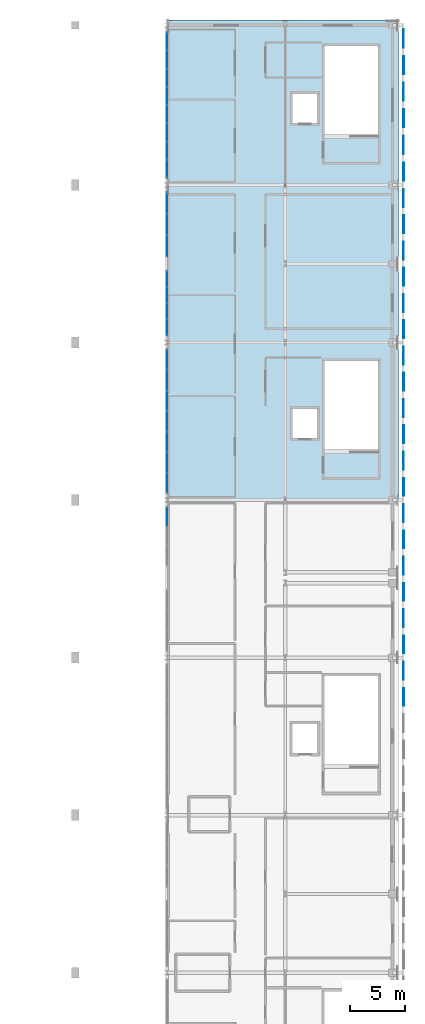
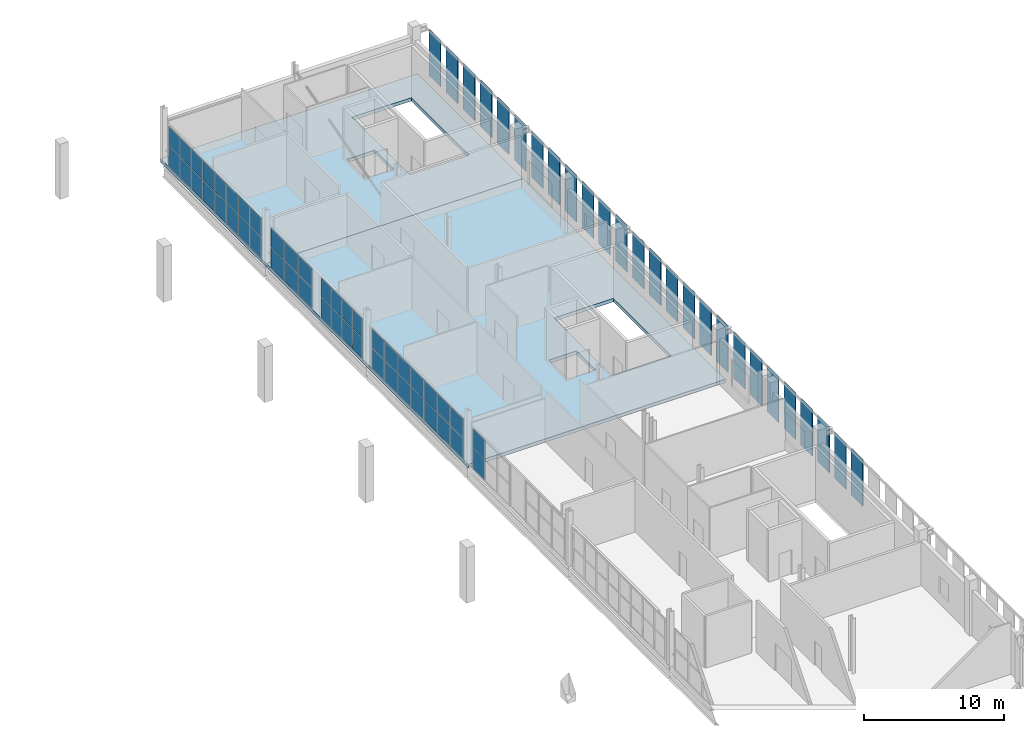
# One storey, part 29 of 51: 72 plates, 2 slabs, 5 elements without a shape of their own.
"""IFC4 building model written with IfcOpenShell, lengths in metres."""

from ifc_helpers import new_model, si_unit, direction, frame, origin, origin_2d, place, context, subcontext, project, spatial, polyline, rectangle, outline, extrude, material, layer, layer_set, type_object, element, aggregate, save


model = new_model("IFC4")

# Units and contexts
model_context = context("Model", 3, precision=1e-05, world=origin(), true_north=direction((0.0, 1.0)))
body_context = subcontext(model_context, "Body", "Model", "MODEL_VIEW")
ifc_project = project(units=[si_unit("LENGTHUNIT", "METRE"), si_unit("AREAUNIT", "SQUARE_METRE"), si_unit("VOLUMEUNIT", "CUBIC_METRE"), si_unit("PLANEANGLEUNIT", "RADIAN"), si_unit("MASSUNIT", "GRAM", prefix="KILO")], contexts=[model_context])

# Site, building, storey
site_placement = place(None, origin())
site = spatial("IfcSite", under=ifc_project, at=site_placement, CompositionType="ELEMENT")
building_placement = place(site_placement, origin())
building = spatial("IfcBuilding", under=site, at=building_placement, Name="Koshinbarg Plaza Stadium", CompositionType="ELEMENT")
storey_placement = place(building_placement, frame((0.0, 0.0, 24.60009765625)))
storey = spatial("IfcBuildingStorey", under=building, at=storey_placement, Name="L05", CompositionType="ELEMENT", Elevation=24.60009765625)

# Curtain wall, plates
ifc_material_1 = material(Name="Thermally broken anodised aluminium and low-E double glazing", Category="aluminium")
curtain_wall_type_1 = type_object("IfcCurtainWallType", Name="CW-SYS-03", PredefinedType="NOTDEFINED", material=ifc_material_1)
curtain_wall_1_placement = place(storey_placement, origin())
curtain_wall_1 = element("IfcCurtainWall", 1, at=curtain_wall_1_placement, inside=storey, type_object=curtain_wall_type_1, Name="L05 unitised curtain wall CW-L05-146", PredefinedType="NOTDEFINED")
ifc_material_2 = material(Name="Solar-control low-E double glazing unit", Category="glass")
ifc_layer_1 = layer(ifc_material_2, 0.028076171875)
ifc_layer_set_1 = layer_set([ifc_layer_1], Name="Solar-control low-E double glazing unit")
plate_type_1 = type_object("IfcPlateType", Name="CW-PNL-28", PredefinedType="CURTAIN_PANEL", material=ifc_layer_set_1)
plate_1_placement = place(storey_placement, frame((197.800048828125, 81.57177734375, 0.06005859375), z_axis=(0.0, 0.0, 1.0), x_axis=(0.0, 1.0, 0.0)))
plate_1 = element("IfcPlate", 2, at=plate_1_placement, type_object=plate_type_1, Name="CW03 panel 3.1", PredefinedType="CURTAIN_PANEL", context=body_context, shape_type="SweptSolid", body=[
    extrude(rectangle(XDim=1.69677734375, YDim=0.028076171875, at=origin_2d()), origin(), (0.0, 0.0, 1.0), 1.771484375),
])
plate_2_placement = place(storey_placement, frame((197.800048828125, 81.57177734375, 1.8916015625), z_axis=(0.0, 0.0, 1.0), x_axis=(0.0, 1.0, 0.0)))
plate_2 = element("IfcPlate", 3, at=plate_2_placement, type_object=plate_type_1, Name="CW03 panel 3.2", PredefinedType="CURTAIN_PANEL", context=body_context, shape_type="SweptSolid", body=[
    extrude(rectangle(XDim=1.69677734375, YDim=0.028076171875, at=origin_2d()), origin(), (0.0, 0.0, 1.0), 1.62841796875),
])
aggregate(curtain_wall_1, [plate_1, plate_2])

curtain_wall_type_2 = type_object("IfcCurtainWallType", Name="CW-SYS-05", PredefinedType="NOTDEFINED", material=ifc_material_1)
curtain_wall_2_placement = place(storey_placement, origin())
curtain_wall_2 = element("IfcCurtainWall", 4, at=curtain_wall_2_placement, inside=storey, type_object=curtain_wall_type_2, Name="L05 unitised curtain wall CW-L05-148", PredefinedType="NOTDEFINED")
plate_3_placement = place(storey_placement, frame((197.800048828125, 98.8798828125, 0.06005859375), z_axis=(0.0, 0.0, 1.0), x_axis=(0.0, 1.0, 0.0)))
plate_3 = element("IfcPlate", 5, at=plate_3_placement, type_object=plate_type_1, Name="CW05 panel 1.1", PredefinedType="CURTAIN_PANEL", context=body_context, shape_type="SweptSolid", body=[
    extrude(rectangle(XDim=1.39990234375, YDim=0.028076171875, at=origin_2d()), origin(), (0.0, 0.0, 1.0), 1.771484375),
])
plate_4_placement = place(storey_placement, frame((197.800048828125, 98.8798828125, 1.8916015625), z_axis=(0.0, 0.0, 1.0), x_axis=(0.0, 1.0, 0.0)))
plate_4 = element("IfcPlate", 6, at=plate_4_placement, type_object=plate_type_1, Name="CW05 panel 1.2", PredefinedType="CURTAIN_PANEL", context=body_context, shape_type="SweptSolid", body=[
    extrude(rectangle(XDim=1.39990234375, YDim=0.028076171875, at=origin_2d()), origin(), (0.0, 0.0, 1.0), 1.62841796875),
])
plate_5_placement = place(storey_placement, frame((197.800048828125, 100.35498046875, 0.06005859375), z_axis=(0.0, 0.0, 1.0), x_axis=(0.0, 1.0, 0.0)))
plate_5 = element("IfcPlate", 7, at=plate_5_placement, type_object=plate_type_1, Name="CW05 panel 2.1", PredefinedType="CURTAIN_PANEL", context=body_context, shape_type="SweptSolid", body=[
    extrude(rectangle(XDim=1.429931640625, YDim=0.028076171875, at=origin_2d()), origin(), (0.0, 0.0, 1.0), 1.771484375),
])
plate_6_placement = place(storey_placement, frame((197.800048828125, 100.35498046875, 1.8916015625), z_axis=(0.0, 0.0, 1.0), x_axis=(0.0, 1.0, 0.0)))
plate_6 = element("IfcPlate", 8, at=plate_6_placement, type_object=plate_type_1, Name="CW05 panel 2.2", PredefinedType="CURTAIN_PANEL", context=body_context, shape_type="SweptSolid", body=[
    extrude(rectangle(XDim=1.429931640625, YDim=0.028076171875, at=origin_2d()), origin(), (0.0, 0.0, 1.0), 1.62841796875),
])
plate_7_placement = place(storey_placement, frame((197.800048828125, 101.844970703125, 0.06005859375), z_axis=(0.0, 0.0, 1.0), x_axis=(0.0, 1.0, 0.0)))
plate_7 = element("IfcPlate", 9, at=plate_7_placement, type_object=plate_type_1, Name="CW05 panel 3.1", PredefinedType="CURTAIN_PANEL", context=body_context, shape_type="SweptSolid", body=[
    extrude(rectangle(XDim=1.429931640625, YDim=0.028076171875, at=origin_2d()), origin(), (0.0, 0.0, 1.0), 1.771484375),
])
plate_8_placement = place(storey_placement, frame((197.800048828125, 101.844970703125, 1.8916015625), z_axis=(0.0, 0.0, 1.0), x_axis=(0.0, 1.0, 0.0)))
plate_8 = element("IfcPlate", 10, at=plate_8_placement, type_object=plate_type_1, Name="CW05 panel 3.2", PredefinedType="CURTAIN_PANEL", context=body_context, shape_type="SweptSolid", body=[
    extrude(rectangle(XDim=1.429931640625, YDim=0.028076171875, at=origin_2d()), origin(), (0.0, 0.0, 1.0), 1.62841796875),
])
plate_9_placement = place(storey_placement, frame((197.800048828125, 103.320068359375, 0.06005859375), z_axis=(0.0, 0.0, 1.0), x_axis=(0.0, 1.0, 0.0)))
plate_9 = element("IfcPlate", 11, at=plate_9_placement, type_object=plate_type_1, Name="CW05 panel 4.1", PredefinedType="CURTAIN_PANEL", context=body_context, shape_type="SweptSolid", body=[
    extrude(rectangle(XDim=1.39990234375, YDim=0.028076171875, at=origin_2d()), origin(), (0.0, 0.0, 1.0), 1.771484375),
])
plate_10_placement = place(storey_placement, frame((197.800048828125, 103.320068359375, 1.8916015625), z_axis=(0.0, 0.0, 1.0), x_axis=(0.0, 1.0, 0.0)))
plate_10 = element("IfcPlate", 12, at=plate_10_placement, type_object=plate_type_1, Name="CW05 panel 4.2", PredefinedType="CURTAIN_PANEL", context=body_context, shape_type="SweptSolid", body=[
    extrude(rectangle(XDim=1.39990234375, YDim=0.028076171875, at=origin_2d()), origin(), (0.0, 0.0, 1.0), 1.62841796875),
])
aggregate(curtain_wall_2, [plate_3, plate_4, plate_5, plate_6, plate_7, plate_8, plate_9, plate_10])

curtain_wall_type_3 = type_object("IfcCurtainWallType", Name="CW-SYS-07", PredefinedType="NOTDEFINED", material=ifc_material_1)
curtain_wall_3_placement = place(storey_placement, origin())
curtain_wall_3 = element("IfcCurtainWall", 13, at=curtain_wall_3_placement, inside=storey, type_object=curtain_wall_type_3, Name="L05 unitised curtain wall CW-L05-150", PredefinedType="NOTDEFINED")
plate_11_placement = place(storey_placement, frame((197.800048828125, 113.3701171875, 0.06005859375), z_axis=(0.0, 0.0, 1.0), x_axis=(0.0, 1.0, 0.0)))
plate_11 = element("IfcPlate", 14, at=plate_11_placement, type_object=plate_type_1, Name="CW07 panel 1.1", PredefinedType="CURTAIN_PANEL", context=body_context, shape_type="SweptSolid", body=[
    extrude(rectangle(XDim=1.580078125, YDim=0.028076171875, at=origin_2d()), origin(), (0.0, 0.0, 1.0), 1.771484375),
])
plate_12_placement = place(storey_placement, frame((197.800048828125, 113.3701171875, 1.8916015625), z_axis=(0.0, 0.0, 1.0), x_axis=(0.0, 1.0, 0.0)))
plate_12 = element("IfcPlate", 15, at=plate_12_placement, type_object=plate_type_1, Name="CW07 panel 1.2", PredefinedType="CURTAIN_PANEL", context=body_context, shape_type="SweptSolid", body=[
    extrude(rectangle(XDim=1.580078125, YDim=0.028076171875, at=origin_2d()), origin(), (0.0, 0.0, 1.0), 1.62841796875),
])
plate_13_placement = place(storey_placement, frame((197.800048828125, 115.02490234375, 0.06005859375), z_axis=(0.0, 0.0, 1.0), x_axis=(0.0, 1.0, 0.0)))
plate_13 = element("IfcPlate", 16, at=plate_13_placement, type_object=plate_type_1, Name="CW07 panel 2.1", PredefinedType="CURTAIN_PANEL", context=body_context, shape_type="SweptSolid", body=[
    extrude(rectangle(XDim=1.610107421875, YDim=0.028076171875, at=origin_2d()), origin(), (0.0, 0.0, 1.0), 1.771484375),
])
plate_14_placement = place(storey_placement, frame((197.800048828125, 115.02490234375, 1.8916015625), z_axis=(0.0, 0.0, 1.0), x_axis=(0.0, 1.0, 0.0)))
plate_14 = element("IfcPlate", 17, at=plate_14_placement, type_object=plate_type_1, Name="CW07 panel 2.2", PredefinedType="CURTAIN_PANEL", context=body_context, shape_type="SweptSolid", body=[
    extrude(rectangle(XDim=1.610107421875, YDim=0.028076171875, at=origin_2d()), origin(), (0.0, 0.0, 1.0), 1.62841796875),
])
plate_15_placement = place(storey_placement, frame((197.800048828125, 116.695068359375, 0.06005859375), z_axis=(0.0, 0.0, 1.0), x_axis=(0.0, 1.0, 0.0)))
plate_15 = element("IfcPlate", 18, at=plate_15_placement, type_object=plate_type_1, Name="CW07 panel 3.1", PredefinedType="CURTAIN_PANEL", context=body_context, shape_type="SweptSolid", body=[
    extrude(rectangle(XDim=1.610107421875, YDim=0.028076171875, at=origin_2d()), origin(), (0.0, 0.0, 1.0), 1.771484375),
])
plate_16_placement = place(storey_placement, frame((197.800048828125, 116.695068359375, 1.8916015625), z_axis=(0.0, 0.0, 1.0), x_axis=(0.0, 1.0, 0.0)))
plate_16 = element("IfcPlate", 19, at=plate_16_placement, type_object=plate_type_1, Name="CW07 panel 3.2", PredefinedType="CURTAIN_PANEL", context=body_context, shape_type="SweptSolid", body=[
    extrude(rectangle(XDim=1.610107421875, YDim=0.028076171875, at=origin_2d()), origin(), (0.0, 0.0, 1.0), 1.62841796875),
])
plate_17_placement = place(storey_placement, frame((197.800048828125, 118.364990234375, 0.06005859375), z_axis=(0.0, 0.0, 1.0), x_axis=(0.0, 1.0, 0.0)))
plate_17 = element("IfcPlate", 20, at=plate_17_placement, type_object=plate_type_1, Name="CW07 panel 4.1", PredefinedType="CURTAIN_PANEL", context=body_context, shape_type="SweptSolid", body=[
    extrude(rectangle(XDim=1.610107421875, YDim=0.028076171875, at=origin_2d()), origin(), (0.0, 0.0, 1.0), 1.771484375),
])
plate_18_placement = place(storey_placement, frame((197.800048828125, 118.364990234375, 1.8916015625), z_axis=(0.0, 0.0, 1.0), x_axis=(0.0, 1.0, 0.0)))
plate_18 = element("IfcPlate", 21, at=plate_18_placement, type_object=plate_type_1, Name="CW07 panel 4.2", PredefinedType="CURTAIN_PANEL", context=body_context, shape_type="SweptSolid", body=[
    extrude(rectangle(XDim=1.610107421875, YDim=0.028076171875, at=origin_2d()), origin(), (0.0, 0.0, 1.0), 1.62841796875),
])
plate_19_placement = place(storey_placement, frame((197.800048828125, 120.034912109375, 0.06005859375), z_axis=(0.0, 0.0, 1.0), x_axis=(0.0, 1.0, 0.0)))
plate_19 = element("IfcPlate", 22, at=plate_19_placement, type_object=plate_type_1, Name="CW07 panel 5.1", PredefinedType="CURTAIN_PANEL", context=body_context, shape_type="SweptSolid", body=[
    extrude(rectangle(XDim=1.610107421875, YDim=0.028076171875, at=origin_2d()), origin(), (0.0, 0.0, 1.0), 1.771484375),
])
plate_20_placement = place(storey_placement, frame((197.800048828125, 120.034912109375, 1.8916015625), z_axis=(0.0, 0.0, 1.0), x_axis=(0.0, 1.0, 0.0)))
plate_20 = element("IfcPlate", 23, at=plate_20_placement, type_object=plate_type_1, Name="CW07 panel 5.2", PredefinedType="CURTAIN_PANEL", context=body_context, shape_type="SweptSolid", body=[
    extrude(rectangle(XDim=1.610107421875, YDim=0.028076171875, at=origin_2d()), origin(), (0.0, 0.0, 1.0), 1.62841796875),
])
plate_21_placement = place(storey_placement, frame((197.800048828125, 121.705078125, 0.06005859375), z_axis=(0.0, 0.0, 1.0), x_axis=(0.0, 1.0, 0.0)))
plate_21 = element("IfcPlate", 24, at=plate_21_placement, type_object=plate_type_1, Name="CW07 panel 6.1", PredefinedType="CURTAIN_PANEL", context=body_context, shape_type="SweptSolid", body=[
    extrude(rectangle(XDim=1.610107421875, YDim=0.028076171875, at=origin_2d()), origin(), (0.0, 0.0, 1.0), 1.771484375),
])
plate_22_placement = place(storey_placement, frame((197.800048828125, 121.705078125, 1.8916015625), z_axis=(0.0, 0.0, 1.0), x_axis=(0.0, 1.0, 0.0)))
plate_22 = element("IfcPlate", 25, at=plate_22_placement, type_object=plate_type_1, Name="CW07 panel 6.2", PredefinedType="CURTAIN_PANEL", context=body_context, shape_type="SweptSolid", body=[
    extrude(rectangle(XDim=1.610107421875, YDim=0.028076171875, at=origin_2d()), origin(), (0.0, 0.0, 1.0), 1.62841796875),
])
plate_23_placement = place(storey_placement, frame((197.800048828125, 123.375, 0.06005859375), z_axis=(0.0, 0.0, 1.0), x_axis=(0.0, 1.0, 0.0)))
plate_23 = element("IfcPlate", 26, at=plate_23_placement, type_object=plate_type_1, Name="CW07 panel 7.1", PredefinedType="CURTAIN_PANEL", context=body_context, shape_type="SweptSolid", body=[
    extrude(rectangle(XDim=1.610107421875, YDim=0.028076171875, at=origin_2d()), origin(), (0.0, 0.0, 1.0), 1.771484375),
])
plate_24_placement = place(storey_placement, frame((197.800048828125, 123.375, 1.8916015625), z_axis=(0.0, 0.0, 1.0), x_axis=(0.0, 1.0, 0.0)))
plate_24 = element("IfcPlate", 27, at=plate_24_placement, type_object=plate_type_1, Name="CW07 panel 7.2", PredefinedType="CURTAIN_PANEL", context=body_context, shape_type="SweptSolid", body=[
    extrude(rectangle(XDim=1.610107421875, YDim=0.028076171875, at=origin_2d()), origin(), (0.0, 0.0, 1.0), 1.62841796875),
])
plate_25_placement = place(storey_placement, frame((197.800048828125, 125.030029296875, 0.06005859375), z_axis=(0.0, 0.0, 1.0), x_axis=(0.0, 1.0, 0.0)))
plate_25 = element("IfcPlate", 28, at=plate_25_placement, type_object=plate_type_1, Name="CW07 panel 8.1", PredefinedType="CURTAIN_PANEL", context=body_context, shape_type="SweptSolid", body=[
    extrude(rectangle(XDim=1.580078125, YDim=0.028076171875, at=origin_2d()), origin(), (0.0, 0.0, 1.0), 1.771484375),
])
plate_26_placement = place(storey_placement, frame((197.800048828125, 125.030029296875, 1.8916015625), z_axis=(0.0, 0.0, 1.0), x_axis=(0.0, 1.0, 0.0)))
plate_26 = element("IfcPlate", 29, at=plate_26_placement, type_object=plate_type_1, Name="CW07 panel 8.2", PredefinedType="CURTAIN_PANEL", context=body_context, shape_type="SweptSolid", body=[
    extrude(rectangle(XDim=1.580078125, YDim=0.028076171875, at=origin_2d()), origin(), (0.0, 0.0, 1.0), 1.62841796875),
])
aggregate(curtain_wall_3, [plate_11, plate_12, plate_13, plate_14, plate_15, plate_16, plate_17, plate_18, plate_19, plate_20, plate_21, plate_22, plate_23, plate_24, plate_25, plate_26])

curtain_wall_type_4 = type_object("IfcCurtainWallType", Name="CW-SYS-04", PredefinedType="NOTDEFINED", material=ifc_material_1)
curtain_wall_4_placement = place(storey_placement, origin())
curtain_wall_4 = element("IfcCurtainWall", 30, at=curtain_wall_4_placement, inside=storey, type_object=curtain_wall_type_4, Name="L05 unitised curtain wall CW-L05-147", PredefinedType="NOTDEFINED")
ifc_material_3 = material(Name="Acoustic solar-control double glazing unit", Category="glass")
ifc_layer_2 = layer(ifc_material_3, 0.031982421875)
ifc_layer_set_2 = layer_set([ifc_layer_2], Name="Acoustic solar-control double glazing unit")
plate_type_2 = type_object("IfcPlateType", Name="CW-PNL-32", PredefinedType="CURTAIN_PANEL", material=ifc_layer_set_2)
plate_27_placement = place(storey_placement, frame((197.800048828125, 84.675048828125, 0.06005859375), z_axis=(0.0, 0.0, 1.0), x_axis=(0.0, 1.0, 0.0)))
plate_27 = element("IfcPlate", 31, at=plate_27_placement, type_object=plate_type_2, Name="CW04 panel 1.1", PredefinedType="CURTAIN_PANEL", context=body_context, shape_type="SweptSolid", body=[
    extrude(rectangle(XDim=1.7900390625, YDim=0.031982421875, at=origin_2d()), origin(), (0.0, 0.0, 1.0), 1.771484375),
])
plate_28_placement = place(storey_placement, frame((197.800048828125, 84.675048828125, 1.8916015625), z_axis=(0.0, 0.0, 1.0), x_axis=(0.0, 1.0, 0.0)))
plate_28 = element("IfcPlate", 32, at=plate_28_placement, type_object=plate_type_2, Name="CW04 panel 1.2", PredefinedType="CURTAIN_PANEL", context=body_context, shape_type="SweptSolid", body=[
    extrude(rectangle(XDim=1.7900390625, YDim=0.031982421875, at=origin_2d()), origin(), (0.0, 0.0, 1.0), 1.62841796875),
])
plate_29_placement = place(storey_placement, frame((197.800048828125, 86.5400390625, 0.06005859375), z_axis=(0.0, 0.0, 1.0), x_axis=(0.0, 1.0, 0.0)))
plate_29 = element("IfcPlate", 33, at=plate_29_placement, type_object=plate_type_2, Name="CW04 panel 2.1", PredefinedType="CURTAIN_PANEL", context=body_context, shape_type="SweptSolid", body=[
    extrude(rectangle(XDim=1.820068359375, YDim=0.031982421875, at=origin_2d()), origin(), (0.0, 0.0, 1.0), 1.771484375),
])
plate_30_placement = place(storey_placement, frame((197.800048828125, 86.5400390625, 1.8916015625), z_axis=(0.0, 0.0, 1.0), x_axis=(0.0, 1.0, 0.0)))
plate_30 = element("IfcPlate", 34, at=plate_30_placement, type_object=plate_type_2, Name="CW04 panel 2.2", PredefinedType="CURTAIN_PANEL", context=body_context, shape_type="SweptSolid", body=[
    extrude(rectangle(XDim=1.820068359375, YDim=0.031982421875, at=origin_2d()), origin(), (0.0, 0.0, 1.0), 1.62841796875),
])
plate_31_placement = place(storey_placement, frame((197.800048828125, 88.419921875, 0.06005859375), z_axis=(0.0, 0.0, 1.0), x_axis=(0.0, 1.0, 0.0)))
plate_31 = element("IfcPlate", 35, at=plate_31_placement, type_object=plate_type_2, Name="CW04 panel 3.1", PredefinedType="CURTAIN_PANEL", context=body_context, shape_type="SweptSolid", body=[
    extrude(rectangle(XDim=1.820068359375, YDim=0.031982421875, at=origin_2d()), origin(), (0.0, 0.0, 1.0), 1.771484375),
])
plate_32_placement = place(storey_placement, frame((197.800048828125, 88.419921875, 1.8916015625), z_axis=(0.0, 0.0, 1.0), x_axis=(0.0, 1.0, 0.0)))
plate_32 = element("IfcPlate", 36, at=plate_32_placement, type_object=plate_type_2, Name="CW04 panel 3.2", PredefinedType="CURTAIN_PANEL", context=body_context, shape_type="SweptSolid", body=[
    extrude(rectangle(XDim=1.820068359375, YDim=0.031982421875, at=origin_2d()), origin(), (0.0, 0.0, 1.0), 1.62841796875),
])
plate_33_placement = place(storey_placement, frame((197.800048828125, 90.300048828125, 0.06005859375), z_axis=(0.0, 0.0, 1.0), x_axis=(0.0, 1.0, 0.0)))
plate_33 = element("IfcPlate", 37, at=plate_33_placement, type_object=plate_type_2, Name="CW04 panel 4.1", PredefinedType="CURTAIN_PANEL", context=body_context, shape_type="SweptSolid", body=[
    extrude(rectangle(XDim=1.820068359375, YDim=0.031982421875, at=origin_2d()), origin(), (0.0, 0.0, 1.0), 1.771484375),
])
plate_34_placement = place(storey_placement, frame((197.800048828125, 90.300048828125, 1.8916015625), z_axis=(0.0, 0.0, 1.0), x_axis=(0.0, 1.0, 0.0)))
plate_34 = element("IfcPlate", 38, at=plate_34_placement, type_object=plate_type_2, Name="CW04 panel 4.2", PredefinedType="CURTAIN_PANEL", context=body_context, shape_type="SweptSolid", body=[
    extrude(rectangle(XDim=1.820068359375, YDim=0.031982421875, at=origin_2d()), origin(), (0.0, 0.0, 1.0), 1.62841796875),
])
plate_35_placement = place(storey_placement, frame((197.800048828125, 92.179931640625, 0.06005859375), z_axis=(0.0, 0.0, 1.0), x_axis=(0.0, 1.0, 0.0)))
plate_35 = element("IfcPlate", 39, at=plate_35_placement, type_object=plate_type_2, Name="CW04 panel 5.1", PredefinedType="CURTAIN_PANEL", context=body_context, shape_type="SweptSolid", body=[
    extrude(rectangle(XDim=1.820068359375, YDim=0.031982421875, at=origin_2d()), origin(), (0.0, 0.0, 1.0), 1.771484375),
])
plate_36_placement = place(storey_placement, frame((197.800048828125, 92.179931640625, 1.8916015625), z_axis=(0.0, 0.0, 1.0), x_axis=(0.0, 1.0, 0.0)))
plate_36 = element("IfcPlate", 40, at=plate_36_placement, type_object=plate_type_2, Name="CW04 panel 5.2", PredefinedType="CURTAIN_PANEL", context=body_context, shape_type="SweptSolid", body=[
    extrude(rectangle(XDim=1.820068359375, YDim=0.031982421875, at=origin_2d()), origin(), (0.0, 0.0, 1.0), 1.62841796875),
])
plate_37_placement = place(storey_placement, frame((197.800048828125, 94.06005859375, 0.06005859375), z_axis=(0.0, 0.0, 1.0), x_axis=(0.0, 1.0, 0.0)))
plate_37 = element("IfcPlate", 41, at=plate_37_placement, type_object=plate_type_2, Name="CW04 panel 6.1", PredefinedType="CURTAIN_PANEL", context=body_context, shape_type="SweptSolid", body=[
    extrude(rectangle(XDim=1.820068359375, YDim=0.031982421875, at=origin_2d()), origin(), (0.0, 0.0, 1.0), 1.771484375),
])
plate_38_placement = place(storey_placement, frame((197.800048828125, 94.06005859375, 1.8916015625), z_axis=(0.0, 0.0, 1.0), x_axis=(0.0, 1.0, 0.0)))
plate_38 = element("IfcPlate", 42, at=plate_38_placement, type_object=plate_type_2, Name="CW04 panel 6.2", PredefinedType="CURTAIN_PANEL", context=body_context, shape_type="SweptSolid", body=[
    extrude(rectangle(XDim=1.820068359375, YDim=0.031982421875, at=origin_2d()), origin(), (0.0, 0.0, 1.0), 1.62841796875),
])
plate_39_placement = place(storey_placement, frame((197.800048828125, 95.925048828125, 0.06005859375), z_axis=(0.0, 0.0, 1.0), x_axis=(0.0, 1.0, 0.0)))
plate_39 = element("IfcPlate", 43, at=plate_39_placement, type_object=plate_type_2, Name="CW04 panel 7.1", PredefinedType="CURTAIN_PANEL", context=body_context, shape_type="SweptSolid", body=[
    extrude(rectangle(XDim=1.7900390625, YDim=0.031982421875, at=origin_2d()), origin(), (0.0, 0.0, 1.0), 1.771484375),
])
plate_40_placement = place(storey_placement, frame((197.800048828125, 95.925048828125, 1.8916015625), z_axis=(0.0, 0.0, 1.0), x_axis=(0.0, 1.0, 0.0)))
plate_40 = element("IfcPlate", 44, at=plate_40_placement, type_object=plate_type_2, Name="CW04 panel 7.2", PredefinedType="CURTAIN_PANEL", context=body_context, shape_type="SweptSolid", body=[
    extrude(rectangle(XDim=1.7900390625, YDim=0.031982421875, at=origin_2d()), origin(), (0.0, 0.0, 1.0), 1.62841796875),
])
aggregate(curtain_wall_4, [plate_27, plate_28, plate_29, plate_30, plate_31, plate_32, plate_33, plate_34, plate_35, plate_36, plate_37, plate_38, plate_39, plate_40])

curtain_wall_type_5 = type_object("IfcCurtainWallType", Name="CW-SYS-06", PredefinedType="NOTDEFINED", material=ifc_material_1)
curtain_wall_5_placement = place(storey_placement, origin())
curtain_wall_5 = element("IfcCurtainWall", 45, at=curtain_wall_5_placement, inside=storey, type_object=curtain_wall_type_5, Name="L05 unitised curtain wall CW-L05-149", PredefinedType="NOTDEFINED")
plate_41_placement = place(storey_placement, frame((197.800048828125, 106.328369140625, 0.06005859375), z_axis=(0.0, 0.0, 1.0), x_axis=(0.0, 1.0, 0.0)))
plate_41 = element("IfcPlate", 46, at=plate_41_placement, type_object=plate_type_2, Name="CW06 panel 1.1", PredefinedType="CURTAIN_PANEL", context=body_context, shape_type="SweptSolid", body=[
    extrude(rectangle(XDim=1.896728515625, YDim=0.031982421875, at=origin_2d()), origin(), (0.0, 0.0, 1.0), 1.771484375),
])
plate_42_placement = place(storey_placement, frame((197.800048828125, 106.328369140625, 1.8916015625), z_axis=(0.0, 0.0, 1.0), x_axis=(0.0, 1.0, 0.0)))
plate_42 = element("IfcPlate", 47, at=plate_42_placement, type_object=plate_type_2, Name="CW06 panel 1.2", PredefinedType="CURTAIN_PANEL", context=body_context, shape_type="SweptSolid", body=[
    extrude(rectangle(XDim=1.896728515625, YDim=0.031982421875, at=origin_2d()), origin(), (0.0, 0.0, 1.0), 1.62841796875),
])
plate_43_placement = place(storey_placement, frame((197.800048828125, 108.300048828125, 0.06005859375), z_axis=(0.0, 0.0, 1.0), x_axis=(0.0, 1.0, 0.0)))
plate_43 = element("IfcPlate", 48, at=plate_43_placement, type_object=plate_type_2, Name="CW06 panel 2.1", PredefinedType="CURTAIN_PANEL", context=body_context, shape_type="SweptSolid", body=[
    extrude(rectangle(XDim=1.9267578125, YDim=0.031982421875, at=origin_2d()), origin(), (0.0, 0.0, 1.0), 1.771484375),
])
plate_44_placement = place(storey_placement, frame((197.800048828125, 108.300048828125, 1.8916015625), z_axis=(0.0, 0.0, 1.0), x_axis=(0.0, 1.0, 0.0)))
plate_44 = element("IfcPlate", 49, at=plate_44_placement, type_object=plate_type_2, Name="CW06 panel 2.2", PredefinedType="CURTAIN_PANEL", context=body_context, shape_type="SweptSolid", body=[
    extrude(rectangle(XDim=1.9267578125, YDim=0.031982421875, at=origin_2d()), origin(), (0.0, 0.0, 1.0), 1.62841796875),
])
plate_45_placement = place(storey_placement, frame((197.800048828125, 110.271728515625, 0.06005859375), z_axis=(0.0, 0.0, 1.0), x_axis=(0.0, 1.0, 0.0)))
plate_45 = element("IfcPlate", 50, at=plate_45_placement, type_object=plate_type_2, Name="CW06 panel 3.1", PredefinedType="CURTAIN_PANEL", context=body_context, shape_type="SweptSolid", body=[
    extrude(rectangle(XDim=1.896728515625, YDim=0.031982421875, at=origin_2d()), origin(), (0.0, 0.0, 1.0), 1.771484375),
])
plate_46_placement = place(storey_placement, frame((197.800048828125, 110.271728515625, 1.8916015625), z_axis=(0.0, 0.0, 1.0), x_axis=(0.0, 1.0, 0.0)))
plate_46 = element("IfcPlate", 51, at=plate_46_placement, type_object=plate_type_2, Name="CW06 panel 3.2", PredefinedType="CURTAIN_PANEL", context=body_context, shape_type="SweptSolid", body=[
    extrude(rectangle(XDim=1.896728515625, YDim=0.031982421875, at=origin_2d()), origin(), (0.0, 0.0, 1.0), 1.62841796875),
])
aggregate(curtain_wall_5, [plate_41, plate_42, plate_43, plate_44, plate_45, plate_46])

# Plates
ifc_material_4 = material(Name="Off-white mineral-coated perforated aluminium screen panel", Category="aluminium")
ifc_layer_3 = layer(ifc_material_4, 0.050048828125)
ifc_layer_set_3 = layer_set([ifc_layer_3], Name="Off-white mineral-coated perforated aluminium screen panel")
plate_type_3 = type_object("IfcPlateType", Name="PLT-SCR-50", PredefinedType="USERDEFINED", material=ifc_layer_set_3)
for number, where, z_axis, x_axis, name in (
    (52, (219.419921875, 67.5, 0.19970703125), (0.0, 0.0, 1.0), (1.0, 0.0, 0.0), "L05 off-white leaf-pierced outer screen panel 270"),
    (53, (219.419921875, 72.300048828125, 0.19970703125), (0.0, 0.0, 1.0), (1.0, 0.0, 0.0), "L05 off-white leaf-pierced outer screen panel 272"),
    (54, (219.419921875, 77.10009765625, 0.19970703125), (0.0, 0.0, 1.0), (1.0, 0.0, 0.0), "L05 off-white leaf-pierced outer screen panel 274"),
    (55, (219.419921875, 81.89990234375, 0.19970703125), (0.0, 0.0, 1.0), (1.0, 0.0, 0.0), "L05 off-white leaf-pierced outer screen panel 276"),
    (56, (219.419921875, 86.699951171875, 0.19970703125), (0.0, 0.0, 1.0), (1.0, 0.0, 0.0), "L05 off-white leaf-pierced outer screen panel 278"),
    (57, (219.419921875, 91.5, 0.19970703125), (0.0, 0.0, 1.0), (1.0, 0.0, 0.0), "L05 off-white leaf-pierced outer screen panel 280"),
    (58, (219.419921875, 96.300048828125, 0.19970703125), (0.0, 0.0, 1.0), (1.0, 0.0, 0.0), "L05 off-white leaf-pierced outer screen panel 282"),
    (59, (219.419921875, 101.10009765625, 0.19970703125), (0.0, 0.0, 1.0), (1.0, 0.0, 0.0), "L05 off-white leaf-pierced outer screen panel 284"),
    (60, (219.419921875, 105.89990234375, 0.19970703125), (0.0, 0.0, 1.0), (1.0, 0.0, 0.0), "L05 off-white leaf-pierced outer screen panel 286"),
    (61, (219.419921875, 110.699951171875, 0.19970703125), (0.0, 0.0, 1.0), (1.0, 0.0, 0.0), "L05 off-white leaf-pierced outer screen panel 288"),
):
    element("IfcPlate", number, at=place(storey_placement, frame(where, z_axis=z_axis, x_axis=x_axis)), inside=storey, type_object=plate_type_3, Name=name, ObjectType="SCREEN PANEL", PredefinedType="USERDEFINED", context=body_context, shape_type="SweptSolid", body=[
        extrude(rectangle(XDim=0.050048828125, YDim=1.632080078125, at=origin_2d()), origin(), (0.0, 0.0, 1.0), 4.030029296875),
    ])
for number, where, z_axis, x_axis, name in (
    (62, (219.419921875, 115.550048828125, 0.19970703125), (0.0, 0.0, 1.0), (1.0, 0.0, 0.0), "L05 off-white leaf-pierced outer screen panel 290"),
    (63, (219.419921875, 120.416748046875, 0.19970703125), (0.0, 0.0, 1.0), (1.0, 0.0, 0.0), "L05 off-white leaf-pierced outer screen panel 292"),
    (64, (219.419921875, 125.283203125, 0.19970703125), (0.0, 0.0, 1.0), (1.0, 0.0, 0.0), "L05 off-white leaf-pierced outer screen panel 294"),
):
    element("IfcPlate", number, at=place(storey_placement, frame(where, z_axis=z_axis, x_axis=x_axis)), inside=storey, type_object=plate_type_3, Name=name, ObjectType="SCREEN PANEL", PredefinedType="USERDEFINED", context=body_context, shape_type="SweptSolid", body=[
        extrude(rectangle(XDim=0.050048828125, YDim=1.65478515625, at=origin_2d()), origin(), (0.0, 0.0, 1.0), 4.030029296875),
    ])
ifc_material_5 = material(Name="Off-white mineral-coated leaf-aperture GRC screen panel")
ifc_layer_4 = layer(ifc_material_5, 0.06005859375)
ifc_layer_set_4 = layer_set([ifc_layer_4], Name="Off-white mineral-coated leaf-aperture GRC screen panel")
plate_type_4 = type_object("IfcPlateType", Name="PLT-SCR-60", PredefinedType="USERDEFINED", material=ifc_layer_set_4)
for number, where, z_axis, x_axis, name in (
    (65, (219.425048828125, 65.10009765625, 0.19970703125), (0.0, 0.0, 1.0), (1.0, 0.0, 0.0), "L05 off-white leaf-pierced outer screen panel 269"),
    (66, (219.425048828125, 69.89990234375, 0.19970703125), (0.0, 0.0, 1.0), (1.0, 0.0, 0.0), "L05 off-white leaf-pierced outer screen panel 271"),
    (67, (219.425048828125, 74.699951171875, 0.19970703125), (0.0, 0.0, 1.0), (1.0, 0.0, 0.0), "L05 off-white leaf-pierced outer screen panel 273"),
    (68, (219.425048828125, 79.5, 0.19970703125), (0.0, 0.0, 1.0), (1.0, 0.0, 0.0), "L05 off-white leaf-pierced outer screen panel 275"),
    (69, (219.425048828125, 84.300048828125, 0.19970703125), (0.0, 0.0, 1.0), (1.0, 0.0, 0.0), "L05 off-white leaf-pierced outer screen panel 277"),
    (70, (219.425048828125, 89.10009765625, 0.19970703125), (0.0, 0.0, 1.0), (1.0, 0.0, 0.0), "L05 off-white leaf-pierced outer screen panel 279"),
    (71, (219.425048828125, 93.89990234375, 0.19970703125), (0.0, 0.0, 1.0), (1.0, 0.0, 0.0), "L05 off-white leaf-pierced outer screen panel 281"),
    (72, (219.425048828125, 98.699951171875, 0.19970703125), (0.0, 0.0, 1.0), (1.0, 0.0, 0.0), "L05 off-white leaf-pierced outer screen panel 283"),
    (73, (219.425048828125, 103.5, 0.19970703125), (0.0, 0.0, 1.0), (1.0, 0.0, 0.0), "L05 off-white leaf-pierced outer screen panel 285"),
    (74, (219.425048828125, 108.300048828125, 0.19970703125), (0.0, 0.0, 1.0), (1.0, 0.0, 0.0), "L05 off-white leaf-pierced outer screen panel 287"),
):
    element("IfcPlate", number, at=place(storey_placement, frame(where, z_axis=z_axis, x_axis=x_axis)), inside=storey, type_object=plate_type_4, Name=name, ObjectType="SCREEN PANEL", PredefinedType="USERDEFINED", context=body_context, shape_type="SweptSolid", body=[
        extrude(rectangle(XDim=0.06005859375, YDim=1.632080078125, at=origin_2d()), origin(), (0.0, 0.0, 1.0), 4.030029296875),
    ])
for number, where, z_axis, x_axis, name in (
    (75, (219.425048828125, 113.11669921875, 0.19970703125), (0.0, 0.0, 1.0), (1.0, 0.0, 0.0), "L05 off-white leaf-pierced outer screen panel 289"),
    (76, (219.425048828125, 117.9833984375, 0.19970703125), (0.0, 0.0, 1.0), (1.0, 0.0, 0.0), "L05 off-white leaf-pierced outer screen panel 291"),
    (77, (219.425048828125, 122.85009765625, 0.19970703125), (0.0, 0.0, 1.0), (1.0, 0.0, 0.0), "L05 off-white leaf-pierced outer screen panel 293"),
):
    element("IfcPlate", number, at=place(storey_placement, frame(where, z_axis=z_axis, x_axis=x_axis)), inside=storey, type_object=plate_type_4, Name=name, ObjectType="SCREEN PANEL", PredefinedType="USERDEFINED", context=body_context, shape_type="SweptSolid", body=[
        extrude(rectangle(XDim=0.06005859375, YDim=1.65478515625, at=origin_2d()), origin(), (0.0, 0.0, 1.0), 4.030029296875),
    ])

# Slabs
ifc_material_6 = material(Name="Concrete C35/45", Category="concrete")
ifc_layer_5 = layer(ifc_material_6, 0.300048828125)
ifc_layer_set_5 = layer_set([ifc_layer_5], Name="Concrete C35/45")
slab_type = type_object("IfcSlabType", Name="SL-FLR-300", PredefinedType="FLOOR", material=ifc_layer_set_5)
slab_1_placement = place(storey_placement, frame((0.0, 0.0, -0.300048828125)))
element("IfcSlab", 78, at=slab_1_placement, inside=storey, type_object=slab_type, Name="L05 V2 structural slab 7", PredefinedType="FLOOR", context=body_context, shape_type="SweptSolid", body=[
    extrude(outline(polyline([(197.800048828125, 83.10009765625), (218.955078125, 83.10009765625), (218.955078125, 111.89990234375), (197.800048828125, 111.89990234375), (197.800048828125, 83.10009765625)]), holes=[polyline([(217.070068359375, 87.56005859375), (217.070068359375, 95.800048828125), (212.199951171875, 95.800048828125), (212.199951171875, 87.56005859375), (217.070068359375, 87.56005859375)]), polyline([(209.25, 88.75), (211.550048828125, 88.75), (211.550048828125, 91.449951171875), (209.25, 91.449951171875), (209.25, 88.75)])]), origin(), (0.0, 0.0, 1.0), 0.300048828125),
])
slab_2_placement = place(storey_placement, frame((0.0, 0.0, -0.300048828125)))
element("IfcSlab", 79, at=slab_2_placement, inside=storey, type_object=slab_type, Name="L05 V2 structural slab 8", PredefinedType="FLOOR", context=body_context, shape_type="SweptSolid", body=[
    extrude(outline(polyline([(197.800048828125, 111.89990234375), (218.955078125, 111.89990234375), (218.955078125, 126.955078125), (197.800048828125, 126.955078125), (197.800048828125, 111.89990234375)]), holes=[polyline([(217.070068359375, 116.360107421875), (217.070068359375, 124.60009765625), (212.199951171875, 124.60009765625), (212.199951171875, 116.360107421875), (217.070068359375, 116.360107421875)]), polyline([(209.25, 117.550048828125), (211.550048828125, 117.550048828125), (211.550048828125, 120.25), (209.25, 120.25), (209.25, 117.550048828125)])]), origin(), (0.0, 0.0, 1.0), 0.300048828125),
])

save(model, "model.ifc")
